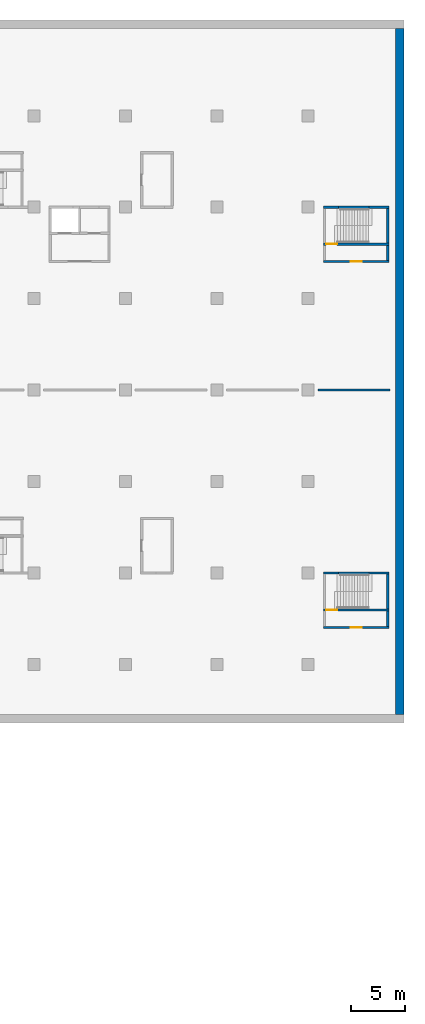
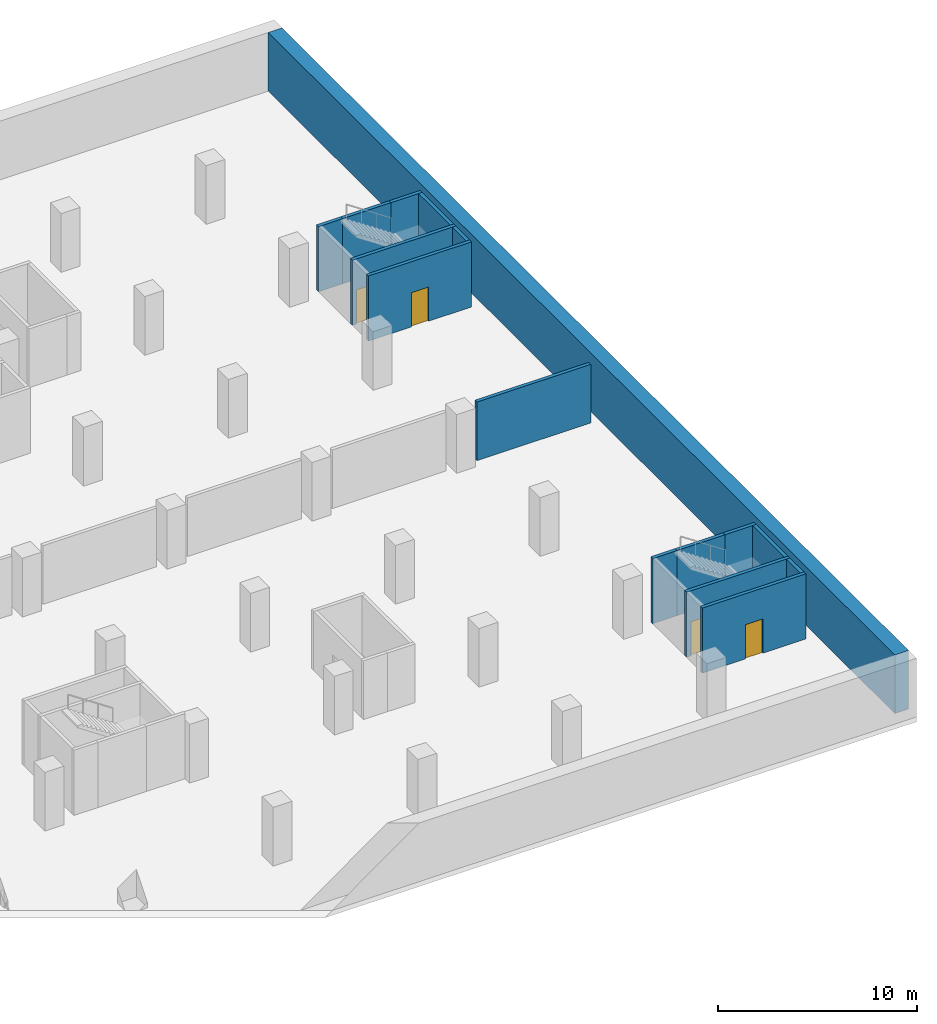
# One storey, part 13 of 18: 16 walls, 4 doors, 4 openings.
"""IFC4 building model written with IfcOpenShell, lengths in metres."""

from ifc_helpers import new_model, si_unit, direction, frame, frame_2d, origin, place, context, subcontext, project, spatial, rectangle, extrude, material, layer, layer_set, type_object, element, fill, save


model = new_model("IFC4")

# Units and contexts
model_context = context("Model", 3, precision=1e-05, world=origin(), true_north=direction((0.0, 1.0)))
body_context = subcontext(model_context, "Body", "Model", "MODEL_VIEW")
ifc_project = project(units=[si_unit("LENGTHUNIT", "METRE"), si_unit("AREAUNIT", "SQUARE_METRE"), si_unit("VOLUMEUNIT", "CUBIC_METRE"), si_unit("PLANEANGLEUNIT", "RADIAN"), si_unit("MASSUNIT", "GRAM", prefix="KILO")], contexts=[model_context])

# Site, building, storey
site_placement = place(None, origin())
site = spatial("IfcSite", under=ifc_project, at=site_placement, CompositionType="ELEMENT")
building_placement = place(site_placement, origin())
building = spatial("IfcBuilding", under=site, at=building_placement, Name="Vermilion Gate Residences", CompositionType="ELEMENT")
storey_placement = place(building_placement, frame((0.0, 0.0, -4.0)))
storey = spatial("IfcBuildingStorey", under=building, at=storey_placement, Name="B1", CompositionType="ELEMENT", Elevation=-4.0)

# Walls
ifc_material_1 = material(Name="Concrete blockwork", Category="masonry")
ifc_layer_1 = layer(ifc_material_1, 0.199951171875)
ifc_layer_set_1 = layer_set([ifc_layer_1], Name="GARAGE FIRE WALL 200 EI 120 (AMENITY)")
wall_type_1 = type_object("IfcWallType", Name="GARAGE FIRE WALL 200 EI 120 (AMENITY)", PredefinedType="PARTITIONING", material=ifc_layer_set_1)
wall_1_placement = place(storey_placement, frame((118.5, 67.199951171875, 0.0), z_axis=(0.0, 0.0, 1.0), x_axis=(1.0, 0.0, 0.0)))
element("IfcWall", 1, at=wall_1_placement, inside=storey, type_object=wall_type_1, Name="Fire compartment wall", PredefinedType="PARTITIONING", context=body_context, shape_type="SweptSolid", body=[
    extrude(rectangle(XDim=6.60009765625, YDim=0.199951171875, at=frame_2d((3.300048828125, 0.0))), origin(), (0.0, 0.0, 1.0), 3.60009765625),
])
ifc_material_2 = material(Name="Concrete C40", Category="concrete")
ifc_layer_2 = layer(ifc_material_2, 0.800048828125)
ifc_layer_set_2 = layer_set([ifc_layer_2], Name="RC DIAPHRAGM WALL 800 C40")
wall_type_2 = type_object("IfcWallType", Name="RC DIAPHRAGM WALL 800 C40", PredefinedType="SOLIDWALL", material=ifc_layer_set_2)
wall_2_placement = place(storey_placement, frame((126.0, 37.39990234375, 0.0), z_axis=(0.0, 0.0, 1.0), x_axis=(0.0, 1.0, 0.0)))
element("IfcWall", 2, at=wall_2_placement, inside=storey, type_object=wall_type_2, Name="Diaphragm wall B1 5", PredefinedType="SOLIDWALL", context=body_context, shape_type="SweptSolid", body=[
    extrude(rectangle(XDim=63.0, YDim=0.800048828125, at=frame_2d((31.5, 0.0))), origin(), (0.0, 0.0, 1.0), 3.60009765625),
])

# Wall, opening, door
ifc_material_3 = material(Name="Concrete C40", Category="concrete")
ifc_layer_3 = layer(ifc_material_3, 0.199951171875)
ifc_layer_set_3 = layer_set([ifc_layer_3], Name="RC STAIR AND SHAFT WALL 200 EI 180 C40 (AMENITY)")
wall_type_3 = type_object("IfcWallType", Name="RC STAIR AND SHAFT WALL 200 EI 180 C40 (AMENITY)", PredefinedType="SOLIDWALL", material=ifc_layer_set_3)
wall_3_placement = place(storey_placement, frame((119.0, 45.39990234375, 0.0), z_axis=(0.0, 0.0, 1.0), x_axis=(1.0, 0.0, 0.0)))
wall_3 = element("IfcWall", 3, at=wall_3_placement, inside=storey, type_object=wall_type_3, Name="Stair and shaft wall 180", PredefinedType="SOLIDWALL", context=body_context, shape_type="SweptSolid", body=[
    extrude(rectangle(XDim=6.0, YDim=0.199951171875, at=frame_2d((3.0, 0.0))), origin(), (0.0, 0.0, 1.0), 4.0),
])
opening_1_placement = place(wall_3_placement, frame((2.5, 0.0, 0.0)))
opening_1 = element("IfcOpeningElement", 4, at=opening_1_placement, cuts=wall_3, Name="Opening DMB1013", PredefinedType="OPENING", context=body_context, shape_type="SweptSolid", body=[
    extrude(rectangle(XDim=1.0, YDim=2.10009765625, at=frame_2d((0.5, 1.050048828125))), frame((0.0, 0.10986328125, 0.0), z_axis=(0.0, -1.0, 0.0), x_axis=(1.0, 0.0, 0.0)), (0.0, 0.0, 1.0), 0.219970703125),
])
ifc_material_4 = material(Name="Steel", Category="steel")
door_type = type_object("IfcDoorType", Name="DOOR 1000 X 2100 FD60 (AMENITY)", OperationType="SINGLE_SWING_LEFT", PredefinedType="DOOR", material=ifc_material_4)
door_1_placement = place(opening_1_placement, frame((1.0, 0.0, 0.0), z_axis=(0.0, 0.0, 1.0), x_axis=(-1.0, 0.0, 0.0)))
door_1 = element("IfcDoor", 5, at=door_1_placement, inside=storey, type_object=door_type, Name="Door B1 13", OperationType="SINGLE_SWING_RIGHT", OverallHeight=2.10009765625, OverallWidth=1.0, PredefinedType="DOOR", context=body_context, shape_type="SweptSolid", body=[
    extrude(rectangle(XDim=1.0, YDim=2.10009765625, at=frame_2d((0.5, 1.050048828125))), frame((0.0, 0.02490234375, 0.0), z_axis=(0.0, -1.0, 0.0), x_axis=(1.0, 0.0, 0.0)), (0.0, 0.0, 1.0), 0.050048828125),
])
fill(opening_1, door_1)

wall_4_placement = place(storey_placement, frame((119.0, 47.0, 0.0), z_axis=(0.0, 0.0, 1.0), x_axis=(1.0, 0.0, 0.0)))
wall_4 = element("IfcWall", 6, at=wall_4_placement, inside=storey, type_object=wall_type_3, Name="Stair and shaft wall 182", PredefinedType="SOLIDWALL", context=body_context, shape_type="SweptSolid", body=[
    extrude(rectangle(XDim=6.0, YDim=0.199951171875, at=frame_2d((3.0, 0.0))), origin(), (0.0, 0.0, 1.0), 4.0),
])
opening_2_placement = place(wall_4_placement, frame((0.25, 0.0, 0.0)))
opening_2 = element("IfcOpeningElement", 7, at=opening_2_placement, cuts=wall_4, Name="Opening DMB1014", PredefinedType="OPENING", context=body_context, shape_type="SweptSolid", body=[
    extrude(rectangle(XDim=1.0, YDim=2.10009765625, at=frame_2d((0.5, 1.050048828125))), frame((0.0, 0.10986328125, 0.0), z_axis=(0.0, -1.0, 0.0), x_axis=(1.0, 0.0, 0.0)), (0.0, 0.0, 1.0), 0.219970703125),
])
door_2_placement = place(opening_2_placement, origin())
door_2 = element("IfcDoor", 8, at=door_2_placement, inside=storey, type_object=door_type, Name="Door B1 14", OperationType="SINGLE_SWING_RIGHT", OverallHeight=2.10009765625, OverallWidth=1.0, PredefinedType="DOOR", context=body_context, shape_type="SweptSolid", body=[
    extrude(rectangle(XDim=1.0, YDim=2.10009765625, at=frame_2d((0.5, 1.050048828125))), frame((0.0, 0.02490234375, 0.0), z_axis=(0.0, -1.0, 0.0), x_axis=(1.0, 0.0, 0.0)), (0.0, 0.0, 1.0), 0.050048828125),
])
fill(opening_2, door_2)

# Wall
wall_5_placement = place(storey_placement, frame((119.0, 50.39990234375, 0.0), z_axis=(0.0, 0.0, 1.0), x_axis=(1.0, 0.0, 0.0)))
element("IfcWall", 9, at=wall_5_placement, inside=storey, type_object=wall_type_3, Name="Stair and shaft wall 183", PredefinedType="SOLIDWALL", context=body_context, shape_type="SweptSolid", body=[
    extrude(rectangle(XDim=1.39990234375, YDim=0.199951171875, at=frame_2d((0.699951171875, 0.0))), origin(), (0.0, 0.0, 1.0), 4.0),
])

# Wall, opening, door
wall_6_placement = place(storey_placement, frame((119.0, 79.0, 0.0), z_axis=(0.0, 0.0, 1.0), x_axis=(1.0, 0.0, 0.0)))
wall_6 = element("IfcWall", 10, at=wall_6_placement, inside=storey, type_object=wall_type_3, Name="Stair and shaft wall 185", PredefinedType="SOLIDWALL", context=body_context, shape_type="SweptSolid", body=[
    extrude(rectangle(XDim=6.0, YDim=0.199951171875, at=frame_2d((3.0, 0.0))), origin(), (0.0, 0.0, 1.0), 4.0),
])
opening_3_placement = place(wall_6_placement, frame((2.5, 0.0, 0.0)))
opening_3 = element("IfcOpeningElement", 11, at=opening_3_placement, cuts=wall_6, Name="Opening DMB1029", PredefinedType="OPENING", context=body_context, shape_type="SweptSolid", body=[
    extrude(rectangle(XDim=1.0, YDim=2.10009765625, at=frame_2d((0.5, 1.050048828125))), frame((0.0, 0.10986328125, 0.0), z_axis=(0.0, -1.0, 0.0), x_axis=(1.0, 0.0, 0.0)), (0.0, 0.0, 1.0), 0.219970703125),
])
door_3_placement = place(opening_3_placement, frame((1.0, 0.0, 0.0), z_axis=(0.0, 0.0, 1.0), x_axis=(-1.0, 0.0, 0.0)))
door_3 = element("IfcDoor", 12, at=door_3_placement, inside=storey, type_object=door_type, Name="Door B1 29", OperationType="SINGLE_SWING_RIGHT", OverallHeight=2.10009765625, OverallWidth=1.0, PredefinedType="DOOR", context=body_context, shape_type="SweptSolid", body=[
    extrude(rectangle(XDim=1.0, YDim=2.10009765625, at=frame_2d((0.5, 1.050048828125))), frame((0.0, 0.02490234375, 0.0), z_axis=(0.0, -1.0, 0.0), x_axis=(1.0, 0.0, 0.0)), (0.0, 0.0, 1.0), 0.050048828125),
])
fill(opening_3, door_3)

wall_7_placement = place(storey_placement, frame((119.0, 80.60009765625, 0.0), z_axis=(0.0, 0.0, 1.0), x_axis=(1.0, 0.0, 0.0)))
wall_7 = element("IfcWall", 13, at=wall_7_placement, inside=storey, type_object=wall_type_3, Name="Stair and shaft wall 187", PredefinedType="SOLIDWALL", context=body_context, shape_type="SweptSolid", body=[
    extrude(rectangle(XDim=6.0, YDim=0.199951171875, at=frame_2d((3.0, 0.0))), origin(), (0.0, 0.0, 1.0), 4.0),
])
opening_4_placement = place(wall_7_placement, frame((0.25, 0.0, 0.0)))
opening_4 = element("IfcOpeningElement", 14, at=opening_4_placement, cuts=wall_7, Name="Opening DMB1030", PredefinedType="OPENING", context=body_context, shape_type="SweptSolid", body=[
    extrude(rectangle(XDim=1.0, YDim=2.10009765625, at=frame_2d((0.5, 1.050048828125))), frame((0.0, 0.10986328125, 0.0), z_axis=(0.0, -1.0, 0.0), x_axis=(1.0, 0.0, 0.0)), (0.0, 0.0, 1.0), 0.219970703125),
])
door_4_placement = place(opening_4_placement, origin())
door_4 = element("IfcDoor", 15, at=door_4_placement, inside=storey, type_object=door_type, Name="Door B1 30", OperationType="SINGLE_SWING_RIGHT", OverallHeight=2.10009765625, OverallWidth=1.0, PredefinedType="DOOR", context=body_context, shape_type="SweptSolid", body=[
    extrude(rectangle(XDim=1.0, YDim=2.10009765625, at=frame_2d((0.5, 1.050048828125))), frame((0.0, 0.02490234375, 0.0), z_axis=(0.0, -1.0, 0.0), x_axis=(1.0, 0.0, 0.0)), (0.0, 0.0, 1.0), 0.050048828125),
])
fill(opening_4, door_4)

# Walls
wall_8_placement = place(storey_placement, frame((119.0, 84.0, 0.0), z_axis=(0.0, 0.0, 1.0), x_axis=(1.0, 0.0, 0.0)))
element("IfcWall", 16, at=wall_8_placement, inside=storey, type_object=wall_type_3, Name="Stair and shaft wall 188", PredefinedType="SOLIDWALL", context=body_context, shape_type="SweptSolid", body=[
    extrude(rectangle(XDim=1.39990234375, YDim=0.199951171875, at=frame_2d((0.699951171875, 0.0))), origin(), (0.0, 0.0, 1.0), 4.0),
])
for number, where, z_axis, x_axis, name in (
    (17, (120.39990234375, 50.39990234375, 0.0), (0.0, 0.0, 1.0), (1.0, 0.0, 0.0), "Stair and shaft wall 189"),
    (18, (120.39990234375, 84.0, 0.0), (0.0, 0.0, 1.0), (1.0, 0.0, 0.0), "Stair and shaft wall 190"),
):
    element("IfcWall", number, at=place(storey_placement, frame(where, z_axis=z_axis, x_axis=x_axis)), inside=storey, type_object=wall_type_3, Name=name, PredefinedType="SOLIDWALL", context=body_context, shape_type="SweptSolid", body=[
        extrude(rectangle(XDim=2.800048828125, YDim=0.199951171875, at=frame_2d((1.39990234375, 0.0))), origin(), (0.0, 0.0, 1.0), 4.0),
    ])
for number, where, z_axis, x_axis, name in (
    (19, (123.199951171875, 50.39990234375, 0.0), (0.0, 0.0, 1.0), (1.0, 0.0, 0.0), "Stair and shaft wall 191"),
    (20, (123.199951171875, 84.0, 0.0), (0.0, 0.0, 1.0), (1.0, 0.0, 0.0), "Stair and shaft wall 192"),
):
    element("IfcWall", number, at=place(storey_placement, frame(where, z_axis=z_axis, x_axis=x_axis)), inside=storey, type_object=wall_type_3, Name=name, PredefinedType="SOLIDWALL", context=body_context, shape_type="SweptSolid", body=[
        extrude(rectangle(XDim=1.800048828125, YDim=0.199951171875, at=frame_2d((0.89990234375, 0.0))), origin(), (0.0, 0.0, 1.0), 4.0),
    ])
wall_9_placement = place(storey_placement, frame((124.89990234375, 45.5, 0.0), z_axis=(0.0, 0.0, 1.0), x_axis=(0.0, 1.0, 0.0)))
element("IfcWall", 21, at=wall_9_placement, inside=storey, type_object=wall_type_3, Name="Stair and shaft wall 193", PredefinedType="SOLIDWALL", context=body_context, shape_type="SweptSolid", body=[
    extrude(rectangle(XDim=1.39990234375, YDim=0.199951171875, at=frame_2d((0.699951171875, 0.0))), origin(), (0.0, 0.0, 1.0), 4.0),
])
wall_10_placement = place(storey_placement, frame((124.89990234375, 47.10009765625, 0.0), z_axis=(0.0, 0.0, 1.0), x_axis=(0.0, 1.0, 0.0)))
element("IfcWall", 22, at=wall_10_placement, inside=storey, type_object=wall_type_3, Name="Stair and shaft wall 194", PredefinedType="SOLIDWALL", context=body_context, shape_type="SweptSolid", body=[
    extrude(rectangle(XDim=3.199951171875, YDim=0.199951171875, at=frame_2d((1.60009765625, 0.0))), origin(), (0.0, 0.0, 1.0), 4.0),
])
wall_11_placement = place(storey_placement, frame((124.89990234375, 79.10009765625, 0.0), z_axis=(0.0, 0.0, 1.0), x_axis=(0.0, 1.0, 0.0)))
element("IfcWall", 23, at=wall_11_placement, inside=storey, type_object=wall_type_3, Name="Stair and shaft wall 195", PredefinedType="SOLIDWALL", context=body_context, shape_type="SweptSolid", body=[
    extrude(rectangle(XDim=1.39990234375, YDim=0.199951171875, at=frame_2d((0.699951171875, 0.0))), origin(), (0.0, 0.0, 1.0), 4.0),
])
wall_12_placement = place(storey_placement, frame((124.89990234375, 80.699951171875, 0.0), z_axis=(0.0, 0.0, 1.0), x_axis=(0.0, 1.0, 0.0)))
element("IfcWall", 24, at=wall_12_placement, inside=storey, type_object=wall_type_3, Name="Stair and shaft wall 196", PredefinedType="SOLIDWALL", context=body_context, shape_type="SweptSolid", body=[
    extrude(rectangle(XDim=3.199951171875, YDim=0.199951171875, at=frame_2d((1.60009765625, 0.0))), origin(), (0.0, 0.0, 1.0), 4.0),
])

save(model, "model.ifc")
